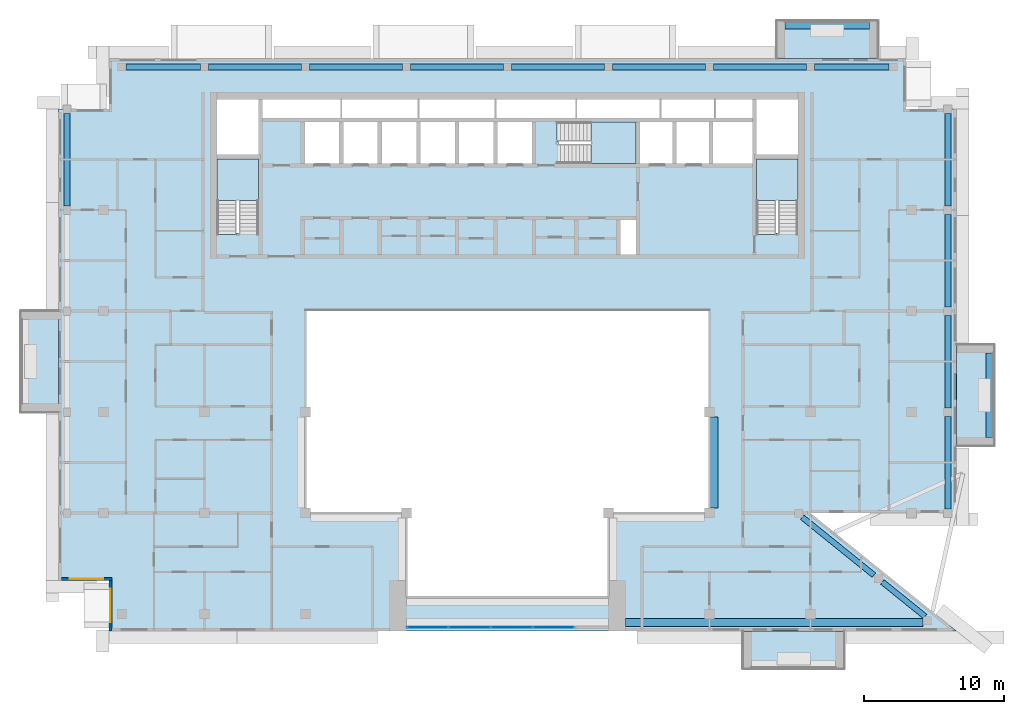
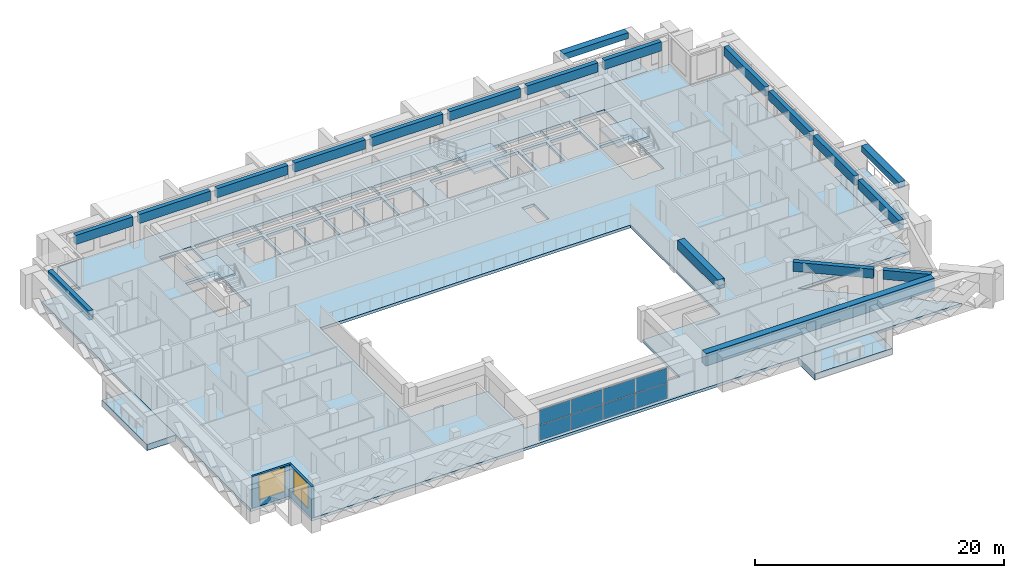
# One storey, part 5 of 19: 19 beams, 8 plates, 8 slabs, 2 walls, 2 windows, 2 openings, 4 elements without a shape of their own.
"""IFC4 building model written with IfcOpenShell, lengths in metres."""

from ifc_helpers import new_model, si_unit, direction, frame, frame_2d, origin, origin_2d, place, context, subcontext, project, spatial, polyline, rectangle, outline, extrude, source, transform, mapped, material, layer, layer_set, material_profile, profile_set, type_object, element, fill, aggregate, save


model = new_model("IFC4")

# Units and contexts
model_context = context("Model", 3, precision=1e-05, world=origin(), true_north=direction((0.0, 1.0)))
body_context = subcontext(model_context, "Body", "Model", "MODEL_VIEW")
ifc_project = project(units=[si_unit("LENGTHUNIT", "METRE"), si_unit("AREAUNIT", "SQUARE_METRE"), si_unit("VOLUMEUNIT", "CUBIC_METRE"), si_unit("PLANEANGLEUNIT", "RADIAN"), si_unit("MASSUNIT", "GRAM", prefix="KILO")], contexts=[model_context])

# Site, building, storey
site_placement = place(None, origin())
site = spatial("IfcSite", under=ifc_project, at=site_placement, CompositionType="ELEMENT")
building_placement = place(site_placement, origin())
building = spatial("IfcBuilding", under=site, at=building_placement, Name="Saffron Iwan Residences", CompositionType="ELEMENT")
storey_placement = place(building_placement, frame((0.0, 0.0, 267.5)))
storey = spatial("IfcBuildingStorey", under=building, at=storey_placement, Name="L72", CompositionType="ELEMENT", Elevation=267.5)

# Beams
ifc_material_1 = material(Name="Concrete C40/50", Category="concrete")
ifc_material_profile_1 = material_profile(ifc_material_1, rectangle(XDim=0.39990234375, YDim=0.89990234375, at=origin_2d()), Name="RC 400x900")
ifc_profile_set_1 = profile_set([ifc_material_profile_1], Name="Concrete C40/50")
beam_type_1 = type_object("IfcBeamType", Name="SPANDREL BEAM RC 400x900 C40/50 TOP 3099", PredefinedType="SPANDREL", material=ifc_profile_set_1)
shared_shape_1 = source(origin(), body_context, "Body", "SweptSolid", [
    extrude(rectangle(XDim=0.39990234375, YDim=0.89990234375, at=origin_2d()), origin(), (0.0, 0.0, 1.0), 3.91162109375),
])
beam_1_placement = place(storey_placement, frame((77.123046875, 43.0908203125, 2.64892578125), z_axis=(0.777943527056, -0.62833420145, 0.0), x_axis=(0.62833420145, 0.777943527056, 0.0)))
element("IfcBeam", 1, at=beam_1_placement, inside=storey, type_object=beam_type_1, Name="Spandrel beam", PredefinedType="SPANDREL", context=body_context, shape_type="MappedRepresentation", body=[
    mapped(shared_shape_1, transform((0.0, 0.0, 0.0))),
])
shared_shape_2 = source(origin(), body_context, "Body", "SweptSolid", [
    extrude(rectangle(XDim=0.39990234375, YDim=0.89990234375, at=origin_2d()), origin(), (0.0, 0.0, 1.0), 6.564208984375),
])
beam_2_placement = place(storey_placement, frame((71.41650390625, 47.699951171875, 2.64892578125), z_axis=(0.77793558619, -0.628344032946, 0.0), x_axis=(0.628344032946, 0.77793558619, 0.0)))
element("IfcBeam", 2, at=beam_2_placement, inside=storey, type_object=beam_type_1, Name="Spandrel beam", PredefinedType="SPANDREL", context=body_context, shape_type="MappedRepresentation", body=[
    mapped(shared_shape_2, transform((0.0, 0.0, 0.0))),
])
shared_shape_3 = source(origin(), body_context, "Body", "SweptSolid", [
    extrude(rectangle(XDim=0.39990234375, YDim=0.89990234375, at=origin_2d()), origin(), (0.0, 0.0, 1.0), 6.599853515625),
])
for number, where, z_axis, x_axis, name in (
    (3, (81.800048828125, 54.89990234375, 2.64892578125), (0.0, -1.0, 0.0), (1.0, 0.0, 0.0), "Spandrel beam"),
    (4, (29.10009765625, 79.800048828125, 2.64892578125), (1.0, 0.0, 0.0), (0.0, 1.0, 0.0), "Spandrel beam"),
    (5, (36.300048828125, 79.800048828125, 2.64892578125), (1.0, 0.0, 0.0), (0.0, 1.0, 0.0), "Spandrel beam"),
    (6, (65.10009765625, 79.800048828125, 2.64892578125), (1.0, 0.0, 0.0), (0.0, 1.0, 0.0), "Spandrel beam"),
):
    element("IfcBeam", number, at=place(storey_placement, frame(where, z_axis=z_axis, x_axis=x_axis)), inside=storey, type_object=beam_type_1, Name=name, PredefinedType="SPANDREL", context=body_context, shape_type="MappedRepresentation", body=[
        mapped(shared_shape_3, transform((0.0, 0.0, 0.0))),
    ])
shared_shape_4 = source(origin(), body_context, "Body", "SweptSolid", [
    extrude(rectangle(XDim=0.39990234375, YDim=0.89990234375, at=origin_2d()), origin(), (0.0, 0.0, 1.0), 6.60009765625),
])
for number, where, z_axis, x_axis, name in (
    (7, (81.800048828125, 62.10009765625, 2.64892578125), (0.0, -1.0, 0.0), (1.0, 0.0, 0.0), "Spandrel beam"),
    (8, (81.800048828125, 69.300048828125, 2.64892578125), (0.0, -1.0, 0.0), (1.0, 0.0, 0.0), "Spandrel beam"),
    (9, (19.0, 69.89990234375, 2.64892578125), (0.0, 1.0, 0.0), (-1.0, 0.0, 0.0), "Spandrel beam"),
    (10, (81.800048828125, 76.5, 2.64892578125), (0.0, -1.0, 0.0), (1.0, 0.0, 0.0), "Spandrel beam"),
    (11, (43.5, 79.800048828125, 2.64892578125), (1.0, 0.0, 0.0), (0.0, 1.0, 0.0), "Spandrel beam"),
    (12, (50.699951171875, 79.800048828125, 2.64892578125), (1.0, 0.0, 0.0), (0.0, 1.0, 0.0), "Spandrel beam"),
    (13, (57.89990234375, 79.800048828125, 2.64892578125), (1.0, 0.0, 0.0), (0.0, 1.0, 0.0), "Spandrel beam"),
):
    element("IfcBeam", number, at=place(storey_placement, frame(where, z_axis=z_axis, x_axis=x_axis)), inside=storey, type_object=beam_type_1, Name=name, PredefinedType="SPANDREL", context=body_context, shape_type="MappedRepresentation", body=[
        mapped(shared_shape_4, transform((0.0, 0.0, 0.0))),
    ])
shared_shape_5 = source(origin(), body_context, "Body", "SweptSolid", [
    extrude(rectangle(XDim=0.39990234375, YDim=0.89990234375, at=origin_2d()), origin(), (0.0, 0.0, 1.0), 5.300048828125),
])
for number, where, z_axis, x_axis, name in (
    (14, (23.199951171875, 79.800048828125, 2.64892578125), (1.0, 0.0, 0.0), (0.0, 1.0, 0.0), "Spandrel beam"),
    (15, (72.300048828125, 79.800048828125, 2.64892578125), (1.0, 0.0, 0.0), (0.0, 1.0, 0.0), "Spandrel beam"),
):
    element("IfcBeam", number, at=place(storey_placement, frame(where, z_axis=z_axis, x_axis=x_axis)), inside=storey, type_object=beam_type_1, Name=name, PredefinedType="SPANDREL", context=body_context, shape_type="MappedRepresentation", body=[
        mapped(shared_shape_5, transform((0.0, 0.0, 0.0))),
    ])
ifc_material_profile_2 = material_profile(ifc_material_1, rectangle(XDim=0.60009765625, YDim=1.199951171875, at=origin_2d()), Name="RC 600x1200")
ifc_profile_set_2 = profile_set([ifc_material_profile_2], Name="Concrete C40/50")
beam_type_2 = type_object("IfcBeamType", Name="LINTEL BEAM RC 600x1200 C40/50 TOP 3099", PredefinedType="LINTEL", material=ifc_profile_set_2)
shared_shape_6 = source(origin(), body_context, "Body", "SweptSolid", [
    extrude(rectangle(XDim=0.60009765625, YDim=1.199951171875, at=origin_2d()), origin(), (0.0, 0.0, 1.0), 21.2255859375),
])
beam_3_placement = place(storey_placement, frame((80.025634765625, 40.199951171875, 2.4990234375), z_axis=(-1.0, 0.0, 0.0), x_axis=(0.0, -1.0, 0.0)))
element("IfcBeam", 16, at=beam_3_placement, inside=storey, type_object=beam_type_2, Name="Lintel beam over the iwan", PredefinedType="LINTEL", context=body_context, shape_type="MappedRepresentation", body=[
    mapped(shared_shape_6, transform((0.0, 0.0, 0.0))),
])
ifc_material_profile_3 = material_profile(ifc_material_1, rectangle(XDim=0.60009765625, YDim=0.89990234375, at=origin_2d()), Name="RC 600x900")
ifc_profile_set_3 = profile_set([ifc_material_profile_3], Name="Concrete C40/50")
beam_type_3 = type_object("IfcBeamType", Name="BEAM RC 600x900 C40/50 TOP 3099", PredefinedType="BEAM", material=ifc_profile_set_3)
shared_shape_7 = source(origin(), body_context, "Body", "SweptSolid", [
    extrude(rectangle(XDim=0.60009765625, YDim=0.89990234375, at=origin_2d()), origin(), (0.0, 0.0, 1.0), 6.5),
])
beam_4_placement = place(storey_placement, frame((65.10009765625, 54.85009765625, 2.64892578125), z_axis=(0.0, -1.0, 0.0), x_axis=(1.0, 0.0, 0.0)))
element("IfcBeam", 17, at=beam_4_placement, inside=storey, type_object=beam_type_3, Name="Atrium edge beam", PredefinedType="BEAM", context=body_context, shape_type="MappedRepresentation", body=[
    mapped(shared_shape_7, transform((0.0, 0.0, 0.0))),
])
ifc_material_2 = material(Name="Concrete C50/60 white painted", Category="concrete")
ifc_material_profile_4 = material_profile(ifc_material_2, rectangle(XDim=0.60009765625, YDim=0.60009765625, at=origin_2d()), Name="BALCONY FASCIA BEAM 600 x 600")
ifc_profile_set_4 = profile_set([ifc_material_profile_4], Name="Concrete C50/60 white painted")
beam_type_4 = type_object("IfcBeamType", Name="BALCONY FASCIA BEAM 600 x 600", PredefinedType="BEAM", material=ifc_profile_set_4)
shared_shape_8 = source(origin(), body_context, "Body", "SweptSolid", [
    extrude(rectangle(XDim=0.60009765625, YDim=0.60009765625, at=origin_2d()), origin(), (0.0, 0.0, 1.0), 6.0),
])
for number, where, z_axis, x_axis, name in (
    (18, (84.800048828125, 53.39990234375, 2.428955078125), (0.0, 1.0, 0.0), (-1.0, 0.0, 0.0), "Balcony fascia beam L72 F2-0"),
    (19, (76.199951171875, 82.800048828125, 2.428955078125), (-1.0, 0.0, 0.0), (0.0, -1.0, 0.0), "Balcony fascia beam L72 F5-0"),
):
    element("IfcBeam", number, at=place(storey_placement, frame(where, z_axis=z_axis, x_axis=x_axis)), inside=storey, type_object=beam_type_4, Name=name, PredefinedType="BEAM", context=body_context, shape_type="MappedRepresentation", body=[
        mapped(shared_shape_8, transform((0.0, 0.0, 0.0))),
    ])

# Slabs
ifc_layer_1 = layer(ifc_material_2, 0.60009765625)
ifc_layer_set_1 = layer_set([ifc_layer_1], Name="Concrete C50/60 white painted")
slab_type_1 = type_object("IfcSlabType", Name="BALCONY FRAME SLAB 600", PredefinedType="FLOOR", material=ifc_layer_set_1)
slab_1_placement = place(storey_placement, frame((0.0, 0.0, -0.60009765625)))
element("IfcSlab", 20, at=slab_1_placement, inside=storey, type_object=slab_type_1, Name="Balcony frame slab L72 F2-0", PredefinedType="FLOOR", context=body_context, shape_type="SweptSolid", body=[
    extrude(outline(polyline([(85.10009765625, 52.800048828125), (85.10009765625, 60.0), (82.39990234375, 60.0), (82.39990234375, 52.800048828125), (85.10009765625, 52.800048828125)])), origin(), (0.0, 0.0, 1.0), 0.60009765625),
])
slab_2_placement = place(storey_placement, frame((0.0, 0.0, -0.60009765625)))
element("IfcSlab", 21, at=slab_2_placement, inside=storey, type_object=slab_type_1, Name="Balcony frame slab L72 F5-0", PredefinedType="FLOOR", context=body_context, shape_type="SweptSolid", body=[
    extrude(outline(polyline([(76.800048828125, 83.10009765625), (69.60009765625, 83.10009765625), (69.60009765625, 80.39990234375), (76.800048828125, 80.39990234375), (76.800048828125, 83.10009765625)])), origin(), (0.0, 0.0, 1.0), 0.60009765625),
])
slab_3_placement = place(storey_placement, frame((0.0, 0.0, -0.60009765625)))
element("IfcSlab", 22, at=slab_3_placement, inside=storey, type_object=slab_type_1, Name="Balcony frame slab L72 F8-0", PredefinedType="FLOOR", context=body_context, shape_type="SweptSolid", body=[
    extrude(outline(polyline([(15.699951171875, 62.39990234375), (15.699951171875, 55.199951171875), (18.39990234375, 55.199951171875), (18.39990234375, 62.39990234375), (15.699951171875, 62.39990234375)])), origin(), (0.0, 0.0, 1.0), 0.60009765625),
])
slab_4_placement = place(storey_placement, frame((0.0, 0.0, -0.60009765625)))
element("IfcSlab", 23, at=slab_4_placement, inside=storey, type_object=slab_type_1, Name="Balcony frame slab L72 11-1", PredefinedType="FLOOR", context=body_context, shape_type="SweptSolid", body=[
    extrude(outline(polyline([(67.199951171875, 36.89990234375), (74.39990234375, 36.89990234375), (74.39990234375, 39.60009765625), (67.199951171875, 39.60009765625), (67.199951171875, 36.89990234375)])), origin(), (0.0, 0.0, 1.0), 0.60009765625),
])
ifc_layer_2 = layer(ifc_material_1, 0.280029296875)
ifc_layer_set_2 = layer_set([ifc_layer_2], Name="Concrete C40/50")
slab_type_2 = type_object("IfcSlabType", Name="PT PLATE 280 C40/50", PredefinedType="FLOOR", material=ifc_layer_set_2)
slab_5_placement = place(storey_placement, frame((0.0, 0.0, -0.280029296875)))
element("IfcSlab", 24, at=slab_5_placement, inside=storey, type_object=slab_type_2, Name="Floor slab L72", PredefinedType="FLOOR", context=body_context, shape_type="SweptSolid", body=[
    extrude(outline(polyline([(18.39990234375, 43.199951171875), (18.39990234375, 76.800048828125), (22.0, 76.800048828125), (22.0, 80.39990234375), (78.800048828125, 80.39990234375), (78.800048828125, 76.800048828125), (82.39990234375, 76.800048828125), (82.39990234375, 48.0), (72.0, 48.0), (82.39990234375, 39.60009765625), (22.0, 39.60009765625), (22.0, 43.199951171875), (18.39990234375, 43.199951171875)]), holes=[polyline([(64.800048828125, 48.0), (64.800048828125, 62.39990234375), (36.0, 62.39990234375), (36.0, 48.0), (43.199951171875, 48.0), (43.199951171875, 42.0), (57.60009765625, 42.0), (57.60009765625, 48.0), (64.800048828125, 48.0)]), polyline([(29.699951171875, 73.25), (29.699951171875, 67.949951171875), (29.699951171875, 67.8505859375), (31.10009765625, 67.8505859375), (31.10009765625, 67.949951171875), (32.64990234375, 67.949951171875), (32.64990234375, 73.25), (29.699951171875, 73.25)]), polyline([(38.39990234375, 75.875), (35.949951171875, 75.875), (35.949951171875, 72.925048828125), (38.39990234375, 72.925048828125), (38.39990234375, 75.875)]), polyline([(41.14990234375, 75.875), (38.699951171875, 75.875), (38.699951171875, 72.925048828125), (41.14990234375, 72.925048828125), (41.14990234375, 75.875)]), polyline([(43.89990234375, 72.925048828125), (43.89990234375, 75.875), (41.449951171875, 75.875), (41.449951171875, 72.925048828125), (43.89990234375, 72.925048828125)]), polyline([(46.64990234375, 72.925048828125), (46.64990234375, 75.875), (44.199951171875, 75.875), (44.199951171875, 72.925048828125), (46.64990234375, 72.925048828125)]), polyline([(49.39990234375, 75.875), (46.949951171875, 75.875), (46.949951171875, 72.925048828125), (49.39990234375, 72.925048828125), (49.39990234375, 75.875)]), polyline([(52.14990234375, 72.925048828125), (52.14990234375, 75.875), (49.699951171875, 75.875), (49.699951171875, 72.925048828125), (52.14990234375, 72.925048828125)]), polyline([(32.64990234375, 73.550048828125), (32.64990234375, 77.5), (29.699951171875, 77.5), (29.699951171875, 73.550048828125), (32.64990234375, 73.550048828125)]), polyline([(38.5, 77.5), (32.949951171875, 77.5), (32.949951171875, 76.175048828125), (38.5, 76.175048828125), (38.5, 77.5)]), polyline([(44.0, 76.175048828125), (44.0, 77.5), (38.60009765625, 77.5), (38.60009765625, 76.175048828125), (44.0, 76.175048828125)]), polyline([(49.5, 76.175048828125), (49.5, 77.5), (44.10009765625, 77.5), (44.10009765625, 76.175048828125), (49.5, 76.175048828125)]), polyline([(59.550048828125, 68.875), (58.449951171875, 68.875), (58.449951171875, 66.449951171875), (59.550048828125, 66.449951171875), (59.550048828125, 68.875)]), polyline([(68.14990234375, 73.25), (68.14990234375, 67.949951171875), (68.14990234375, 67.8505859375), (69.550048828125, 67.8505859375), (69.550048828125, 67.949951171875), (71.10009765625, 67.949951171875), (71.10009765625, 73.25), (68.14990234375, 73.25)]), polyline([(54.02490234375, 74.47509765625), (54.02490234375, 72.925048828125), (59.550048828125, 72.925048828125), (59.550048828125, 75.875), (54.02490234375, 75.875), (53.925537109375, 75.875), (53.925537109375, 74.47509765625), (54.02490234375, 74.47509765625)]), polyline([(62.14990234375, 72.925048828125), (62.14990234375, 75.875), (59.85009765625, 75.875), (59.85009765625, 72.925048828125), (62.14990234375, 72.925048828125)]), polyline([(64.75, 72.925048828125), (64.75, 75.875), (62.449951171875, 75.875), (62.449951171875, 72.925048828125), (64.75, 72.925048828125)]), polyline([(67.85009765625, 75.875), (65.050048828125, 75.875), (65.050048828125, 72.925048828125), (67.85009765625, 72.925048828125), (67.85009765625, 75.875)]), polyline([(71.10009765625, 73.550048828125), (71.10009765625, 77.5), (68.14990234375, 77.5), (68.14990234375, 73.550048828125), (71.10009765625, 73.550048828125)]), polyline([(55.25, 76.175048828125), (55.25, 77.5), (49.60009765625, 77.5), (49.60009765625, 76.175048828125), (55.25, 76.175048828125)]), polyline([(61.25, 77.5), (55.35009765625, 77.5), (55.35009765625, 76.175048828125), (61.25, 76.175048828125), (61.25, 77.5)]), polyline([(65.14990234375, 76.175048828125), (65.14990234375, 77.5), (61.35009765625, 77.5), (61.35009765625, 76.175048828125), (65.14990234375, 76.175048828125)]), polyline([(67.85009765625, 76.175048828125), (67.85009765625, 77.5), (65.25, 77.5), (65.25, 76.175048828125), (67.85009765625, 76.175048828125)])]), origin(), (0.0, 0.0, 1.0), 0.280029296875),
])

# Stair, slab
ifc_material_3 = material(Name="Concrete C50/60", Category="concrete")
stair_type = type_object("IfcStairType", Name="Stair ST-CORE", PredefinedType="HALF_TURN_STAIR", material=ifc_material_3)
stair_1_placement = place(storey_placement, origin())
stair_1 = element("IfcStair", 25, at=stair_1_placement, inside=storey, type_object=stair_type, Name="L72 Exit Stair ST-W", PredefinedType="HALF_TURN_STAIR")
ifc_layer_3 = layer(ifc_material_3, 0.199951171875)
ifc_layer_set_3 = layer_set([ifc_layer_3], Name="Concrete C50/60")
slab_type_3 = type_object("IfcSlabType", Name="Stair landing SL-RC", PredefinedType="LANDING", material=ifc_layer_set_3)
slab_6_placement = place(storey_placement, frame((0.0, 0.0, 1.5498046875)))
slab_6 = element("IfcSlab", 26, at=slab_6_placement, type_object=slab_type_3, Name="ST-W landing 1", PredefinedType="LANDING", context=body_context, shape_type="SweptSolid", body=[
    extrude(outline(polyline([(32.64990234375, 70.280029296875), (32.64990234375, 73.25), (29.699951171875, 73.25), (29.699951171875, 70.280029296875), (32.64990234375, 70.280029296875)])), origin(), (0.0, 0.0, 1.0), 0.2001953125),
])
aggregate(stair_1, [slab_6])

stair_2_placement = place(storey_placement, origin())
stair_2 = element("IfcStair", 27, at=stair_2_placement, inside=storey, type_object=stair_type, Name="L72 Exit Stair ST-C", PredefinedType="HALF_TURN_STAIR")
slab_7_placement = place(storey_placement, frame((0.0, 0.0, 1.5498046875)))
slab_7 = element("IfcSlab", 28, at=slab_7_placement, type_object=slab_type_3, Name="ST-C landing 1", PredefinedType="LANDING", context=body_context, shape_type="SweptSolid", body=[
    extrude(outline(polyline([(56.35498046875, 72.925048828125), (59.550048828125, 72.925048828125), (59.550048828125, 75.875), (56.35498046875, 75.875), (56.35498046875, 72.925048828125)])), origin(), (0.0, 0.0, 1.0), 0.2001953125),
])
aggregate(stair_2, [slab_7])

stair_3_placement = place(storey_placement, origin())
stair_3 = element("IfcStair", 29, at=stair_3_placement, inside=storey, type_object=stair_type, Name="L72 Exit Stair ST-E", PredefinedType="HALF_TURN_STAIR")
slab_8_placement = place(storey_placement, frame((0.0, 0.0, 1.5498046875)))
slab_8 = element("IfcSlab", 30, at=slab_8_placement, type_object=slab_type_3, Name="ST-E landing 1", PredefinedType="LANDING", context=body_context, shape_type="SweptSolid", body=[
    extrude(outline(polyline([(71.10009765625, 70.280029296875), (71.10009765625, 73.25), (68.14990234375, 73.25), (68.14990234375, 70.280029296875), (71.10009765625, 70.280029296875)])), origin(), (0.0, 0.0, 1.0), 0.2001953125),
])
aggregate(stair_3, [slab_8])

# Curtain wall, plates
ifc_material_4 = material(Name="Clear glass, laminated double glazed", Category="glass")
ifc_layer_4 = layer(ifc_material_4, 0.199951171875)
ifc_layer_set_4 = layer_set([ifc_layer_4], Name="Clear glass, laminated double glazed")
curtain_wall_type = type_object("IfcCurtainWallType", Name="CW-B IWAN PORTAL", PredefinedType="NOTDEFINED", material=ifc_layer_set_4)
curtain_wall_placement = place(storey_placement, origin())
curtain_wall = element("IfcCurtainWall", 31, at=curtain_wall_placement, inside=storey, type_object=curtain_wall_type, Name="Iwan portal glazing L72.1", PredefinedType="NOTDEFINED")
ifc_layer_5 = layer(ifc_material_4, 0.028076171875)
ifc_layer_set_5 = layer_set([ifc_layer_5], Name="Clear glass, laminated double glazed")
plate_type = type_object("IfcPlateType", Name="CW-B PANEL 28", PredefinedType="CURTAIN_PANEL", material=ifc_layer_set_5)
shared_shape_9 = source(origin(), body_context, "Body", "SweptSolid", [
    extrude(rectangle(XDim=2.909912109375, YDim=0.028076171875, at=origin_2d()), origin(), (0.0, 0.0, 1.0), 1.45947265625),
])
plate_1_placement = place(storey_placement, frame((44.715087890625, 39.85009765625, 0.06005859375), z_axis=(0.0, 0.0, 1.0), x_axis=(1.0, 0.0, 0.0)))
plate_1 = element("IfcPlate", 32, at=plate_1_placement, type_object=plate_type, Name="CW-B panel 1.1", PredefinedType="CURTAIN_PANEL", context=body_context, shape_type="MappedRepresentation", body=[
    mapped(shared_shape_9, transform((0.0, 0.0, 0.0))),
])
plate_2_placement = place(storey_placement, frame((44.715087890625, 39.85009765625, 1.57958984375), z_axis=(0.0, 0.0, 1.0), x_axis=(1.0, 0.0, 0.0)))
plate_2 = element("IfcPlate", 33, at=plate_2_placement, type_object=plate_type, Name="CW-B panel 1.2", PredefinedType="CURTAIN_PANEL", context=body_context, shape_type="MappedRepresentation", body=[
    mapped(shared_shape_9, transform((0.0, 0.0, 0.0))),
])
plate_3_placement = place(storey_placement, frame((53.68505859375, 39.85009765625, 0.06005859375), z_axis=(0.0, 0.0, 1.0), x_axis=(1.0, 0.0, 0.0)))
plate_3 = element("IfcPlate", 34, at=plate_3_placement, type_object=plate_type, Name="CW-B panel 4.1", PredefinedType="CURTAIN_PANEL", context=body_context, shape_type="MappedRepresentation", body=[
    mapped(shared_shape_9, transform((0.0, 0.0, 0.0))),
])
plate_4_placement = place(storey_placement, frame((53.68505859375, 39.85009765625, 1.57958984375), z_axis=(0.0, 0.0, 1.0), x_axis=(1.0, 0.0, 0.0)))
plate_4 = element("IfcPlate", 35, at=plate_4_placement, type_object=plate_type, Name="CW-B panel 4.2", PredefinedType="CURTAIN_PANEL", context=body_context, shape_type="MappedRepresentation", body=[
    mapped(shared_shape_9, transform((0.0, 0.0, 0.0))),
])
shared_shape_10 = source(origin(), body_context, "Body", "SweptSolid", [
    extrude(rectangle(XDim=2.93994140625, YDim=0.028076171875, at=origin_2d()), origin(), (0.0, 0.0, 1.0), 1.45947265625),
])
plate_5_placement = place(storey_placement, frame((47.699951171875, 39.85009765625, 0.06005859375), z_axis=(0.0, 0.0, 1.0), x_axis=(1.0, 0.0, 0.0)))
plate_5 = element("IfcPlate", 36, at=plate_5_placement, type_object=plate_type, Name="CW-B panel 2.1", PredefinedType="CURTAIN_PANEL", context=body_context, shape_type="MappedRepresentation", body=[
    mapped(shared_shape_10, transform((0.0, 0.0, 0.0))),
])
plate_6_placement = place(storey_placement, frame((47.699951171875, 39.85009765625, 1.57958984375), z_axis=(0.0, 0.0, 1.0), x_axis=(1.0, 0.0, 0.0)))
plate_6 = element("IfcPlate", 37, at=plate_6_placement, type_object=plate_type, Name="CW-B panel 2.2", PredefinedType="CURTAIN_PANEL", context=body_context, shape_type="MappedRepresentation", body=[
    mapped(shared_shape_10, transform((0.0, 0.0, 0.0))),
])
plate_7_placement = place(storey_placement, frame((50.699951171875, 39.85009765625, 0.06005859375), z_axis=(0.0, 0.0, 1.0), x_axis=(1.0, 0.0, 0.0)))
plate_7 = element("IfcPlate", 38, at=plate_7_placement, type_object=plate_type, Name="CW-B panel 3.1", PredefinedType="CURTAIN_PANEL", context=body_context, shape_type="MappedRepresentation", body=[
    mapped(shared_shape_10, transform((0.0, 0.0, 0.0))),
])
plate_8_placement = place(storey_placement, frame((50.699951171875, 39.85009765625, 1.57958984375), z_axis=(0.0, 0.0, 1.0), x_axis=(1.0, 0.0, 0.0)))
plate_8 = element("IfcPlate", 39, at=plate_8_placement, type_object=plate_type, Name="CW-B panel 3.2", PredefinedType="CURTAIN_PANEL", context=body_context, shape_type="MappedRepresentation", body=[
    mapped(shared_shape_10, transform((0.0, 0.0, 0.0))),
])
aggregate(curtain_wall, [plate_1, plate_2, plate_5, plate_6, plate_7, plate_8, plate_3, plate_4])

# Wall, opening, window
ifc_layer_6 = layer(ifc_material_1, 0.199951171875)
ifc_layer_set_6 = layer_set([ifc_layer_6], Name="Concrete C40/50")
wall_type = type_object("IfcWallType", Name="EXTERNAL WALL 200", PredefinedType="SOLIDWALL", material=ifc_layer_set_6)
wall_1_placement = place(storey_placement, frame((18.60009765625, 43.300048828125, 0.0), z_axis=(0.0, 0.0, 1.0), x_axis=(1.0, 0.0, 0.0)))
wall_1 = element("IfcWall", 40, at=wall_1_placement, inside=storey, type_object=wall_type, Name="External wall L72 F9.0", PredefinedType="SOLIDWALL", context=body_context, shape_type="SweptSolid", body=[
    extrude(rectangle(XDim=3.599853515625, YDim=0.199951171875, at=frame_2d((1.7998046875, 0.0))), origin(), (0.0, 0.0, 1.0), 3.09912109375),
])
opening_1_placement = place(wall_1_placement, frame((0.60009765625, 0.0, 0.60009765625)))
opening_1 = element("IfcOpeningElement", 41, at=opening_1_placement, cuts=wall_1, Name="Opening W1", PredefinedType="OPENING", context=body_context, shape_type="SweptSolid", body=[
    extrude(rectangle(XDim=2.39990234375, YDim=2.39990234375, at=frame_2d((1.199951171875, 1.199951171875))), frame((0.0, 0.10986328125, 0.0), z_axis=(0.0, -1.0, 0.0), x_axis=(1.0, 0.0, 0.0)), (0.0, 0.0, 1.0), 0.219970703125),
])
window_type = type_object("IfcWindowType", Name="WINDOW 2400 x 2400", PartitioningType="DOUBLE_PANEL_VERTICAL", PredefinedType="WINDOW", material=ifc_material_4)
window_1_placement = place(opening_1_placement, origin())
window_1 = element("IfcWindow", 42, at=window_1_placement, inside=storey, type_object=window_type, Name="Window L72 F9.0", OverallHeight=2.39990234375, OverallWidth=2.39990234375, PartitioningType="DOUBLE_PANEL_VERTICAL", PredefinedType="WINDOW", context=body_context, shape_type="SweptSolid", body=[
    extrude(rectangle(XDim=2.39990234375, YDim=2.39990234375, at=frame_2d((1.199951171875, 1.199951171875))), frame((0.0, 0.030029296875, 0.0), z_axis=(0.0, -1.0, 0.0), x_axis=(1.0, 0.0, 0.0)), (0.0, 0.0, 1.0), 0.06005859375),
])
fill(opening_1, window_1)

wall_2_placement = place(storey_placement, frame((22.10009765625, 43.199951171875, 0.0), z_axis=(0.0, 0.0, 1.0), x_axis=(0.0, -1.0, 0.0)))
wall_2 = element("IfcWall", 43, at=wall_2_placement, inside=storey, type_object=wall_type, Name="External wall L72 F10.0", PredefinedType="SOLIDWALL", context=body_context, shape_type="SweptSolid", body=[
    extrude(rectangle(XDim=3.599853515625, YDim=0.199951171875, at=frame_2d((1.7998046875, 0.0))), origin(), (0.0, 0.0, 1.0), 3.09912109375),
])
opening_2_placement = place(wall_2_placement, frame((0.60009765625, 0.0, 0.60009765625)))
opening_2 = element("IfcOpeningElement", 44, at=opening_2_placement, cuts=wall_2, Name="Opening W1", PredefinedType="OPENING", context=body_context, shape_type="SweptSolid", body=[
    extrude(rectangle(XDim=2.39990234375, YDim=2.39990234375, at=frame_2d((1.199951171875, 1.199951171875))), frame((0.0, 0.10986328125, 0.0), z_axis=(0.0, -1.0, 0.0), x_axis=(1.0, 0.0, 0.0)), (0.0, 0.0, 1.0), 0.219970703125),
])
window_2_placement = place(opening_2_placement, origin())
window_2 = element("IfcWindow", 45, at=window_2_placement, inside=storey, type_object=window_type, Name="Window L72 F10.0", OverallHeight=2.39990234375, OverallWidth=2.39990234375, PartitioningType="DOUBLE_PANEL_VERTICAL", PredefinedType="WINDOW", context=body_context, shape_type="SweptSolid", body=[
    extrude(rectangle(XDim=2.39990234375, YDim=2.39990234375, at=frame_2d((1.199951171875, 1.199951171875))), frame((0.0, 0.030029296875, 0.0), z_axis=(0.0, -1.0, 0.0), x_axis=(1.0, 0.0, 0.0)), (0.0, 0.0, 1.0), 0.06005859375),
])
fill(opening_2, window_2)

save(model, "model.ifc")
